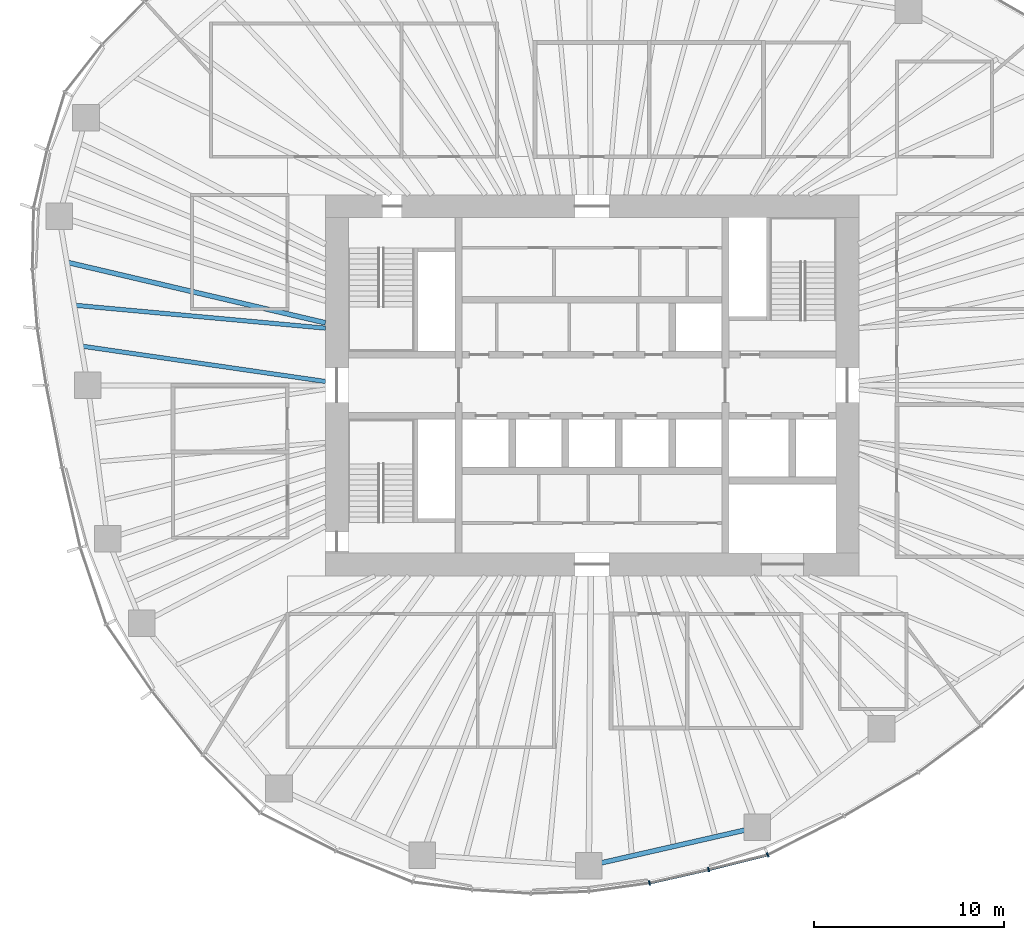
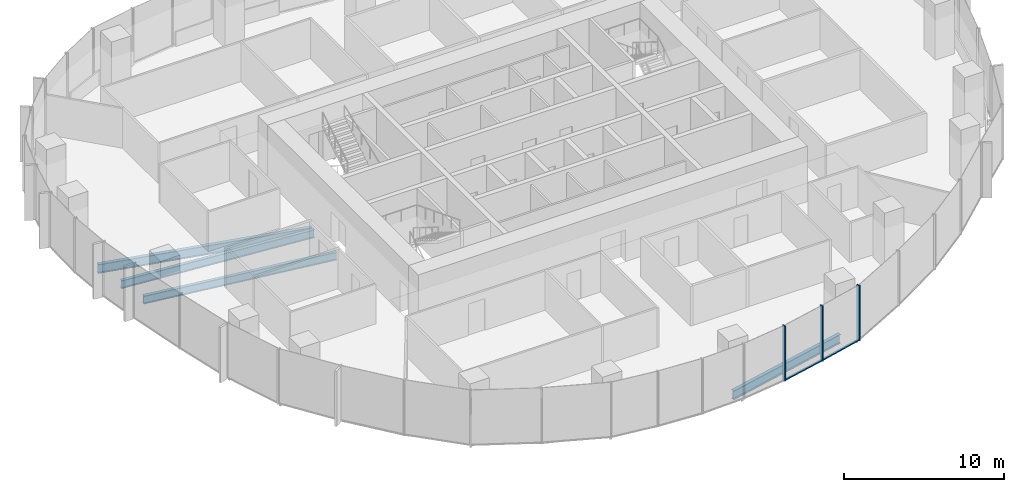
# One storey, part 3 of 18: 5 members, 4 beams, 2 elements without a shape of their own.
"""IFC4 building model written with IfcOpenShell, lengths in metres."""

from ifc_helpers import new_model, si_unit, direction, frame, origin, origin_2d, place, context, subcontext, project, spatial, rectangle, i_section, extrude, material, material_profile, profile_set, type_object, element, aggregate, save


model = new_model("IFC4")

# Units and contexts
model_context = context("Model", 3, precision=1e-05, world=origin(), true_north=direction((0.0, 1.0)))
body_context = subcontext(model_context, "Body", "Model", "MODEL_VIEW")
ifc_project = project(units=[si_unit("LENGTHUNIT", "METRE"), si_unit("AREAUNIT", "SQUARE_METRE"), si_unit("VOLUMEUNIT", "CUBIC_METRE"), si_unit("PLANEANGLEUNIT", "RADIAN"), si_unit("MASSUNIT", "GRAM", prefix="KILO")], contexts=[model_context])

# Site, building, storey
site_placement = place(None, origin())
site = spatial("IfcSite", under=ifc_project, at=site_placement, CompositionType="ELEMENT")
building_placement = place(site_placement, origin())
building = spatial("IfcBuilding", under=site, at=building_placement, Name="Ghaith Harvest Tower", CompositionType="ELEMENT")
storey_placement = place(building_placement, frame((0.0, 0.0, 155.39990234375)))
storey = spatial("IfcBuildingStorey", under=building, at=storey_placement, Name="L33", CompositionType="ELEMENT", Elevation=155.39990234375)

# Curtain wall, members
ifc_material_1 = material(Name="Black anodised aluminium and fritted glass", Category="aluminium")
curtain_wall_type = type_object("IfcCurtainWallType", Name="CW-L CURTAIN WALL", PredefinedType="NOTDEFINED", material=ifc_material_1)
curtain_wall_1_placement = place(storey_placement, origin())
curtain_wall_1 = element("IfcCurtainWall", 1, at=curtain_wall_1_placement, inside=storey, type_object=curtain_wall_type, Name="Curtain wall CW-L bay 16 L33", PredefinedType="NOTDEFINED")
ifc_material_2 = material(Name="Aluminium, black anodised", Category="aluminium")
ifc_material_profile_1 = material_profile(ifc_material_2, rectangle(XDim=0.080078125, YDim=0.239990234375, at=origin_2d()), Name="CW-L MULLION 80x240")
ifc_profile_set_1 = profile_set([ifc_material_profile_1], Name="Aluminium, black anodised")
member_type_1 = type_object("IfcMemberType", Name="CW-L MULLION 80x240", PredefinedType="MULLION", material=ifc_profile_set_1)
member_1_placement = place(storey_placement, frame((3.010009765625, -26.12939453125, 0.0), z_axis=(0.0, 0.0, 1.0), x_axis=(0.983806317978, 0.179234842337, 0.0)))
member_1 = element("IfcMember", 2, at=member_1_placement, type_object=member_type_1, Name="CW-L mullion 2 bay 16 L33", PredefinedType="MULLION", context=body_context, shape_type="SweptSolid", body=[
    extrude(rectangle(XDim=0.080078125, YDim=0.239990234375, at=origin_2d()), origin(), (0.0, 0.0, 1.0), 4.2001953125),
])
member_2_placement = place(storey_placement, frame((6.1201171875, -25.425537109375, 0.0), z_axis=(0.0, 0.0, 1.0), x_axis=(0.972918144681, 0.231149916179, 0.0)))
member_2 = element("IfcMember", 3, at=member_2_placement, type_object=member_type_1, Name="CW-L mullion 3 bay 16 L33", PredefinedType="MULLION", context=body_context, shape_type="SweptSolid", body=[
    extrude(rectangle(XDim=0.080078125, YDim=0.239990234375, at=origin_2d()), origin(), (0.0, 0.0, 1.0), 4.2001953125),
])

# Curtain wall, member
curtain_wall_2_placement = place(storey_placement, origin())
curtain_wall_2 = element("IfcCurtainWall", 4, at=curtain_wall_2_placement, inside=storey, type_object=curtain_wall_type, Name="Curtain wall CW-L bay 17 L33", PredefinedType="NOTDEFINED")
member_3_placement = place(storey_placement, frame((9.216796875, -24.654541015625, 0.0), z_axis=(0.0, 0.0, 1.0), x_axis=(0.929831847154, 0.367984695358, 0.0)))
member_3 = element("IfcMember", 5, at=member_3_placement, type_object=member_type_1, Name="CW-L mullion 1 bay 17 L33", PredefinedType="MULLION", context=body_context, shape_type="SweptSolid", body=[
    extrude(rectangle(XDim=0.080078125, YDim=0.239990234375, at=origin_2d()), origin(), (0.0, 0.0, 1.0), 4.2001953125),
])
aggregate(curtain_wall_2, [member_3])

# Member
ifc_material_3 = material(Name="Aluminium, black anodised", Category="aluminium")
ifc_material_profile_2 = material_profile(ifc_material_3, rectangle(XDim=0.14990234375, YDim=0.080078125, at=origin_2d()), Name="CW-L TRANSOM 150x80")
ifc_profile_set_2 = profile_set([ifc_material_profile_2], Name="Aluminium, black anodised")
member_type_2 = type_object("IfcMemberType", Name="CW-L TRANSOM 150x80", PredefinedType="USERDEFINED", material=ifc_profile_set_2)
member_4_placement = place(storey_placement, frame((3.048828125, -26.120361328125, 0.0400390625), z_axis=(0.975352213651, 0.22065370907, 0.0), x_axis=(-0.22065370907, 0.975352213651, 0.0)))
member_4 = element("IfcMember", 6, at=member_4_placement, type_object=member_type_2, Name="CW-L transom 2 bay 16 L33", ObjectType="TRANSOM", PredefinedType="USERDEFINED", context=body_context, shape_type="SweptSolid", body=[
    extrude(rectangle(XDim=0.14990234375, YDim=0.080078125, at=origin_2d()), origin(), (0.0, 0.0, 1.0), 3.109130859375),
])

member_5_placement = place(storey_placement, frame((6.158935546875, -25.415771484375, 0.0400390625), z_axis=(0.97039125345, 0.241538434265, 0.0), x_axis=(-0.241538434265, 0.97039125345, 0.0)))
member_5 = element("IfcMember", 7, at=member_5_placement, type_object=member_type_2, Name="CW-L transom 3 bay 16 L33", ObjectType="TRANSOM", PredefinedType="USERDEFINED", context=body_context, shape_type="SweptSolid", body=[
    extrude(rectangle(XDim=0.14990234375, YDim=0.080078125, at=origin_2d()), origin(), (0.0, 0.0, 1.0), 3.111083984375),
])

aggregate(curtain_wall_1, [member_1, member_4, member_2, member_5])

# Beams
ifc_material_4 = material(Name="Steel ASTM A992 Grade 50", Category="steel")
ifc_material_profile_3 = material_profile(ifc_material_4, i_section(OverallWidth=0.25390625, OverallDepth=0.68408203125, WebThickness=0.012451171875, FlangeThickness=0.018798828125, at=origin_2d()), Name="W690X140")
ifc_profile_set_3 = profile_set([ifc_material_profile_3], Name="Steel ASTM A992 Grade 50")
beam_type_1 = type_object("IfcBeamType", Name="E690-140 W690X140", PredefinedType="SPANDREL", material=ifc_profile_set_3)
beam_1_placement = place(storey_placement, frame((-0.173095703125, -25.22412109375, -0.511962890625), z_axis=(0.974881709383, 0.22272326486, 0.0), x_axis=(-0.22272326486, 0.974881709383, 0.0)))
element("IfcBeam", 8, at=beam_1_placement, inside=storey, type_object=beam_type_1, Name="Edge beam E16 L33", PredefinedType="SPANDREL", context=body_context, shape_type="SweptSolid", body=[
    extrude(i_section(OverallWidth=0.25390625, OverallDepth=0.68408203125, WebThickness=0.012451171875, FlangeThickness=0.018798828125, at=origin_2d()), origin(), (0.0, 0.0, 1.0), 9.0751953125),
])
ifc_material_5 = material(Name="Steel ASTM A992 Grade 50", Category="steel")
ifc_material_profile_4 = material_profile(ifc_material_5, i_section(OverallWidth=0.22900390625, OverallDepth=0.612060546875, WebThickness=0.011962890625, FlangeThickness=0.01953125, at=origin_2d()), Name="W610X125")
ifc_profile_set_4 = profile_set([ifc_material_profile_4], Name="Steel ASTM A992 Grade 50")
beam_type_2 = type_object("IfcBeamType", Name="J610-125 W610X125", PredefinedType="JOIST", material=ifc_profile_set_4)
beam_2_placement = place(storey_placement, frame((-14.0, 3.0, -0.475830078125), z_axis=(-0.995849123151, 0.091019360137, 0.0), x_axis=(-0.091019360137, -0.995849123151, 0.0)))
element("IfcBeam", 9, at=beam_2_placement, inside=storey, type_object=beam_type_2, Name="Joist J10.2 L33", PredefinedType="JOIST", context=body_context, shape_type="SweptSolid", body=[
    extrude(i_section(OverallWidth=0.22900390625, OverallDepth=0.612060546875, WebThickness=0.011962890625, FlangeThickness=0.01953125, at=origin_2d()), origin(), (0.0, 0.0, 1.0), 13.2451171875),
])
beam_3_placement = place(storey_placement, frame((-14.0, 0.199951171875, -0.475830078125), z_axis=(-0.989622120656, 0.143694322465, 0.0), x_axis=(-0.143694322465, -0.989622120656, 0.0)))
element("IfcBeam", 10, at=beam_3_placement, inside=storey, type_object=beam_type_2, Name="Joist J10.3 L33", PredefinedType="JOIST", context=body_context, shape_type="SweptSolid", body=[
    extrude(i_section(OverallWidth=0.22900390625, OverallDepth=0.612060546875, WebThickness=0.011962890625, FlangeThickness=0.01953125, at=origin_2d()), origin(), (0.0, 0.0, 1.0), 12.960205078125),
])
ifc_material_6 = material(Name="Steel ASTM A992 Grade 50", Category="steel")
ifc_material_profile_5 = material_profile(ifc_material_6, i_section(OverallWidth=0.25390625, OverallDepth=0.68408203125, WebThickness=0.012451171875, FlangeThickness=0.018798828125, at=origin_2d()), Name="W690X140")
ifc_profile_set_5 = profile_set([ifc_material_profile_5], Name="Steel ASTM A992 Grade 50")
beam_type_3 = type_object("IfcBeamType", Name="J690-140 W690X140", PredefinedType="JOIST", material=ifc_profile_set_5)
beam_4_placement = place(storey_placement, frame((-14.0, 3.280517578125, -0.511962890625), z_axis=(-0.973623240284, 0.228161753978, 0.0), x_axis=(-0.228161753978, -0.973623240284, 0.0)))
element("IfcBeam", 11, at=beam_4_placement, inside=storey, type_object=beam_type_3, Name="Joist J10.1 L33", PredefinedType="JOIST", context=body_context, shape_type="SweptSolid", body=[
    extrude(i_section(OverallWidth=0.25390625, OverallDepth=0.68408203125, WebThickness=0.012451171875, FlangeThickness=0.018798828125, at=origin_2d()), origin(), (0.0, 0.0, 1.0), 13.94140625),
])

save(model, "model.ifc")
